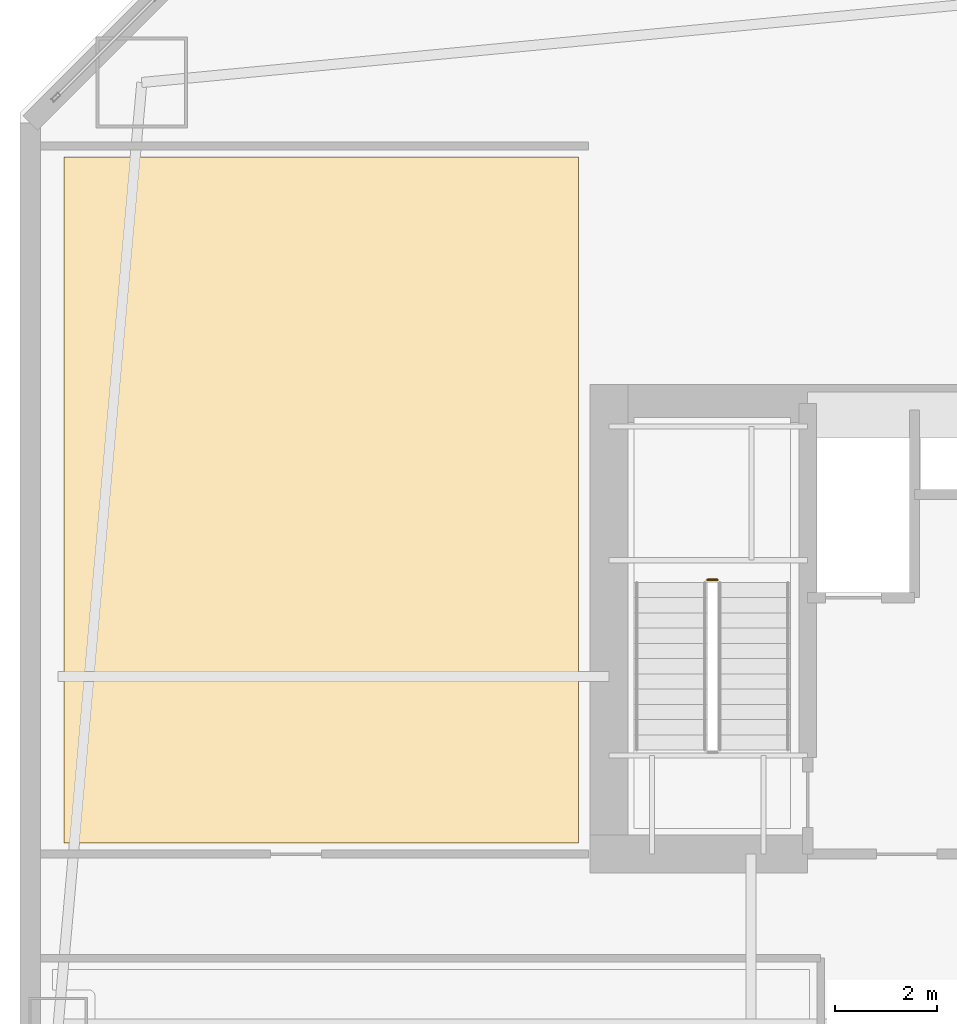
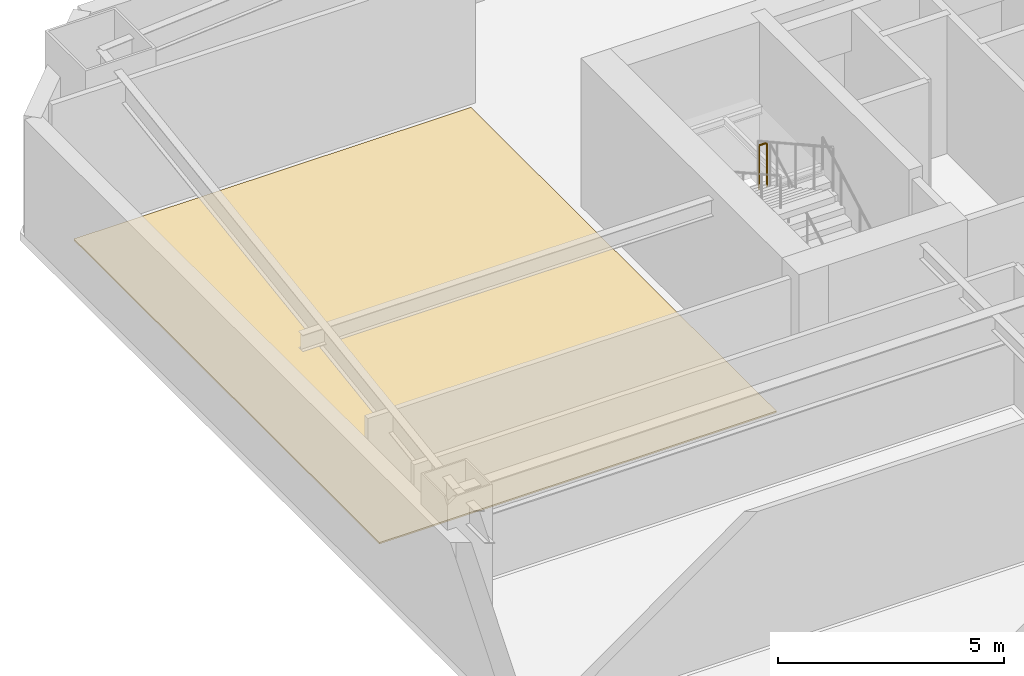
# One storey, part 19 of 24: 1 covering, 1 railing.
"""IFC4 building model written with IfcOpenShell, lengths in metres."""

import ifcopenshell
import ifcopenshell.guid

model = None  # the IFC model being written
_history = None  # IfcOwnerHistory: only IFC2X3 demands one
_inside = {}  # id of a spatial element -> (the spatial element, [elements in it])
_under = {}  # id of a project, library or spatial element -> (it, [spatial elements below it])
_declared = {}  # id of a project -> (the project, [libraries it declares])
_typed = {}  # id of a type object -> (the type object, [elements of that type])
_made_of = {}  # id of a material, layer set ... -> (it, [elements and type objects made of it])


def new_model(schema):
    """Start an empty IFC model of exactly this schema.

    Asked for "IFC4X3", IfcOpenShell would pick the latest addendum, in which some entities
    have other attributes; the version numbers below select the first issue.
    IFC2X3 requires an IfcOwnerHistory on every rooted entity: one is made here for all.
    """
    global model, _history
    if schema == "IFC4X3":
        model = ifcopenshell.file(schema_version=(4, 3, 0, 0))
    else:
        model = ifcopenshell.file(schema=schema)
    _inside.clear()
    _under.clear()
    _declared.clear()
    _typed.clear()
    _made_of.clear()
    _history = None
    if model.schema == "IFC2X3":
        org = make("IfcOrganization", Name="unknown")
        user = make(
            "IfcPersonAndOrganization",
            ThePerson=make("IfcPerson", FamilyName="unknown"),
            TheOrganization=org,
        )
        app = make(
            "IfcApplication",
            ApplicationDeveloper=org,
            Version="unknown",
            ApplicationFullName="unknown",
            ApplicationIdentifier="unknown",
        )
        _history = make(
            "IfcOwnerHistory",
            OwningUser=user,
            OwningApplication=app,
            ChangeAction="ADDED",
            CreationDate=0,
        )
    return model


def make(cls, **values):
    """One entity of the class cls with the attributes given. An attribute that is None is left unset."""
    return model.create_entity(
        cls, **{name: value for name, value in values.items() if value is not None}
    )


def rooted(cls, **values):
    """An entity with a GlobalId (a new one), such as an element, a storey or a relation."""
    return make(cls, GlobalId=ifcopenshell.guid.new(), OwnerHistory=_history, **values)


def si_unit(unit_type, name, prefix=None):
    """IfcSIUnit, for example si_unit("LENGTHUNIT", "METRE", prefix="MILLI")."""
    return make("IfcSIUnit", UnitType=unit_type, Prefix=prefix, Name=name)


def assignment(units):
    """IfcUnitAssignment: the units of a project."""
    return None if units is None else make("IfcUnitAssignment", Units=units)


def point(xyz):
    """IfcCartesianPoint."""
    return None if xyz is None else make("IfcCartesianPoint", Coordinates=xyz)


def direction(xyz):
    """IfcDirection."""
    return None if xyz is None else make("IfcDirection", DirectionRatios=xyz)


def frame(location, z_axis=None, x_axis=None):
    """IfcAxis2Placement3D, a coordinate frame: its origin and axes. An axis left out is left unset."""
    return make(
        "IfcAxis2Placement3D",
        Location=point(location),
        Axis=direction(z_axis),
        RefDirection=direction(x_axis),
    )


def frame_2d(location, x_axis=None):
    """IfcAxis2Placement2D, a coordinate frame in the plane: its origin and x axis."""
    return make(
        "IfcAxis2Placement2D", Location=point(location), RefDirection=direction(x_axis)
    )


def origin():
    """The frame at (0, 0, 0) with its axes left unset."""
    return frame((0.0, 0.0, 0.0))


def origin_2d():
    """The frame at (0, 0) in the plane with its x axis left unset."""
    return frame_2d((0.0, 0.0))


def place(relative_to, where):
    """IfcLocalPlacement: puts the frame where relative to a parent placement (None: the world)."""
    return make(
        "IfcLocalPlacement", PlacementRelTo=relative_to, RelativePlacement=where
    )


def context(
    kind, dimensions, precision=None, world=None, true_north=None, identifier=None
):
    """IfcGeometricRepresentationContext, for example the 3D "Model" context."""
    return make(
        "IfcGeometricRepresentationContext",
        ContextIdentifier=identifier,
        ContextType=kind,
        CoordinateSpaceDimension=dimensions,
        Precision=precision,
        WorldCoordinateSystem=world,
        TrueNorth=true_north,
    )


def subcontext(parent, identifier, kind, view, scale=None):
    """IfcGeometricRepresentationSubContext, for example "Body" below "Model"."""
    return make(
        "IfcGeometricRepresentationSubContext",
        ContextIdentifier=identifier,
        ContextType=kind,
        ParentContext=parent,
        TargetScale=scale,
        TargetView=view,
    )


def project(units=None, contexts=None):
    """IfcProject with its units and contexts."""
    return rooted(
        "IfcProject",
        Name="project",
        RepresentationContexts=contexts,
        UnitsInContext=assignment(units),
    )


def spatial(cls, under=None, at=None, **own):
    """A site, building, storey or space (cls), placed at a placement, below another one or the project."""
    s = rooted(cls, ObjectPlacement=at, **own)
    if under is not None:
        _under.setdefault(under.id(), (under, []))[1].append(s)
    return s


def polyline(points):
    """IfcPolyline through the points."""
    return make("IfcPolyline", Points=[point(p) for p in points])


def profile(cls, at=None, kind="AREA", **sizes):
    """A parametric profile (cls). Its sizes go by their IFC names, for example OverallWidth=200.0."""
    return make(cls, ProfileType=kind, Position=at, **sizes)


def circle(**sizes):
    """IfcCircleProfileDef."""
    return profile("IfcCircleProfileDef", **sizes)


def outline(outer, holes=None, kind="AREA"):
    """IfcArbitraryClosedProfileDef: a profile drawn as a closed curve; with holes, ...WithVoids."""
    if holes is None:
        return make("IfcArbitraryClosedProfileDef", ProfileType=kind, OuterCurve=outer)
    return make(
        "IfcArbitraryProfileDefWithVoids",
        ProfileType=kind,
        OuterCurve=outer,
        InnerCurves=holes,
    )


def extrude(swept, where, along, depth):
    """IfcExtrudedAreaSolid: the profile swept, set in the frame where, extruded along a direction by depth."""
    return make(
        "IfcExtrudedAreaSolid",
        SweptArea=swept,
        Position=where,
        ExtrudedDirection=direction(along),
        Depth=depth,
    )


def shape(context_of_items, identifier, shape_type, items):
    """IfcShapeRepresentation: the items that make up one representation, for example the "Body"."""
    return make(
        "IfcShapeRepresentation",
        ContextOfItems=context_of_items,
        RepresentationIdentifier=identifier,
        RepresentationType=shape_type,
        Items=items,
    )


def material(Name=None, Category=None):
    """IfcMaterial."""
    return make("IfcMaterial", Name=Name, Category=Category)


def layer(
    of_material, thickness, ventilated=None, Name=None, Category=None, Priority=None
):
    """IfcMaterialLayer: one layer of a wall or slab, of a material (None: an air gap)."""
    return make(
        "IfcMaterialLayer",
        Material=of_material,
        LayerThickness=thickness,
        IsVentilated=ventilated,
        Name=Name,
        Category=Category,
        Priority=Priority,
    )


def layer_set(layers, Name=None):
    """IfcMaterialLayerSet."""
    return make("IfcMaterialLayerSet", MaterialLayers=layers, LayerSetName=Name)


def made_of(thing, what):
    """Note that an element or type object is made of a material, layer set ...; save() writes the relation."""
    if what is not None:
        _made_of.setdefault(what.id(), (what, []))[1].append(thing)
    return thing


def type_object(cls, material=None, **own):
    """A type object (cls), such as IfcWallType, which elements share."""
    return made_of(rooted(cls, **own), material)


def element(
    cls,
    number,
    at=None,
    inside=None,
    cuts=None,
    type_object=None,
    material=None,
    context=None,
    identifier="Body",
    shape_type=None,
    held_by="IfcProductDefinitionShape",
    body=None,
    shapes=None,
    **own,
):
    """One element of the class cls, such as IfcWall. Its Tag is "e" and its number.

    at: its placement. inside: the storey or other place that contains it. cuts: it is an
    opening in that element (IfcRelVoidsElement). A single representation is given by context,
    identifier, shape_type and body (its items); several are given by shapes. held_by: the class
    of the entity that holds the representations. save() writes the other relations.
    """
    e = rooted(cls, Tag="e%d" % number, ObjectPlacement=at, **own)
    if body is not None:
        shapes = [shape(context, identifier, shape_type, body)]
    if shapes is not None:
        e.Representation = make(held_by, Representations=shapes)
    if inside is not None:
        _inside.setdefault(inside.id(), (inside, []))[1].append(e)
    if cuts is not None:
        rooted(
            "IfcRelVoidsElement", RelatingBuildingElement=cuts, RelatedOpeningElement=e
        )
    if type_object is not None:
        _typed.setdefault(type_object.id(), (type_object, []))[1].append(e)
    return made_of(e, material)


def aggregate(whole, parts):
    """IfcRelAggregates: a whole, such as a stair, and the parts it consists of."""
    return rooted("IfcRelAggregates", RelatingObject=whole, RelatedObjects=parts)


def save(model, path):
    """Write the relations noted so far, then the file.

    IfcRelAggregates (storeys below a building ...), IfcRelContainedInSpatialStructure (elements
    in a storey), IfcRelDefinesByType, IfcRelAssociatesMaterial and IfcRelDeclares: one each for
    every whole, place, type object, material and project.
    """
    for whole, parts in _under.values():
        aggregate(whole, parts)
    for where, things in _inside.values():
        rooted(
            "IfcRelContainedInSpatialStructure",
            RelatedElements=things,
            RelatingStructure=where,
        )
    for kind, things in _typed.values():
        rooted("IfcRelDefinesByType", RelatedObjects=things, RelatingType=kind)
    for what, things in _made_of.values():
        rooted("IfcRelAssociatesMaterial", RelatedObjects=things, RelatingMaterial=what)
    for by, libraries in _declared.values():
        rooted("IfcRelDeclares", RelatingContext=by, RelatedDefinitions=libraries)
    model.write(path)


model = new_model("IFC4")

# Units and contexts
model_context = context("Model", 3, precision=1e-05, world=origin(), true_north=direction((0.0, 1.0)))
body_context = subcontext(model_context, "Body", "Model", "MODEL_VIEW")
ifc_project = project(units=[si_unit("LENGTHUNIT", "METRE"), si_unit("AREAUNIT", "SQUARE_METRE"), si_unit("VOLUMEUNIT", "CUBIC_METRE"), si_unit("PLANEANGLEUNIT", "RADIAN"), si_unit("MASSUNIT", "GRAM", prefix="KILO")], contexts=[model_context])

# Site, building, storey
site_placement = place(None, origin())
site = spatial("IfcSite", under=ifc_project, at=site_placement, CompositionType="ELEMENT")
building_placement = place(site_placement, origin())
building = spatial("IfcBuilding", under=site, at=building_placement, Name="Qiaolan Cultural Towers", CompositionType="ELEMENT")
storey_placement = place(building_placement, frame((0.0, 0.0, 30.0)))
storey = spatial("IfcBuildingStorey", under=building, at=storey_placement, Name="L06", CompositionType="ELEMENT", Elevation=30.0)

# Covering
ifc_material_1 = material(Name="Honed Terrazzo & Raised Access Flooring", Category="concrete")
ifc_layer = layer(ifc_material_1, 0.0400390625)
ifc_layer_set = layer_set([ifc_layer], Name="Honed Terrazzo & Raised Access Flooring")
covering_type = type_object("IfcCoveringType", Name="COV-FLR-STONE", PredefinedType="FLOORING", material=ifc_layer_set)
covering_placement = place(storey_placement, origin())
element("IfcCovering", 1, at=covering_placement, inside=storey, type_object=covering_type, Name="L06 Corner Conservation Studio Finish Flooring", PredefinedType="FLOORING", context=body_context, shape_type="SweptSolid", body=[
    extrude(outline(polyline([(21.199951171875, 46.6201171875), (21.199951171875, 60.1298828125), (11.070068359375, 60.1298828125), (11.070068359375, 46.6201171875), (21.199951171875, 46.6201171875)])), origin(), (0.0, 0.0, 1.0), 0.0400390625),
])

# Railing
ifc_material_2 = material(Name="Galvanized Painted Steel Stair Guardrail", Category="steel")
railing_type = type_object("IfcRailingType", Name="RL-STAIR-GRD", PredefinedType="GUARDRAIL", material=ifc_material_2)
railing_placement = place(storey_placement, frame((23.93994140625, 51.800048828125, 2.0)))
element("IfcRailing", 2, at=railing_placement, inside=storey, type_object=railing_type, Name="L06 ST-W2 stair guard 2", PredefinedType="GUARDRAIL", context=body_context, shape_type="SweptSolid", body=[
    extrude(circle(Radius=0.02392578125, at=origin_2d()), frame((0.0, 0.0, 1.17578125), z_axis=(-1.0, 0.0, 0.0), x_axis=(0.0, -1.0, 0.0)), (0.0, 0.0, 1.0), 0.199951171875),
    extrude(circle(Radius=0.02099609375, at=origin_2d()), origin(), (0.0, 0.0, 1.0), 1.15185546875),
    extrude(circle(Radius=0.02099609375, at=origin_2d()), frame((-0.199951171875, 0.0, 0.0)), (0.0, 0.0, 1.0), 1.15185546875),
])

save(model, "model.ifc")
